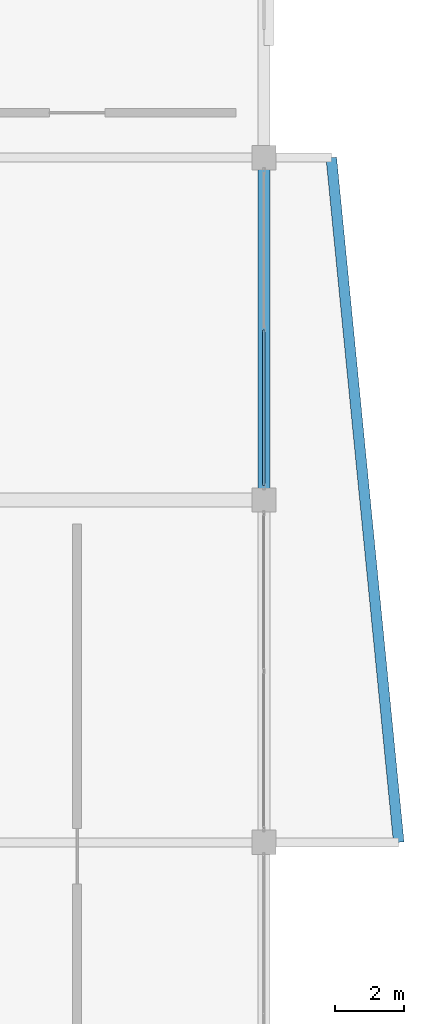
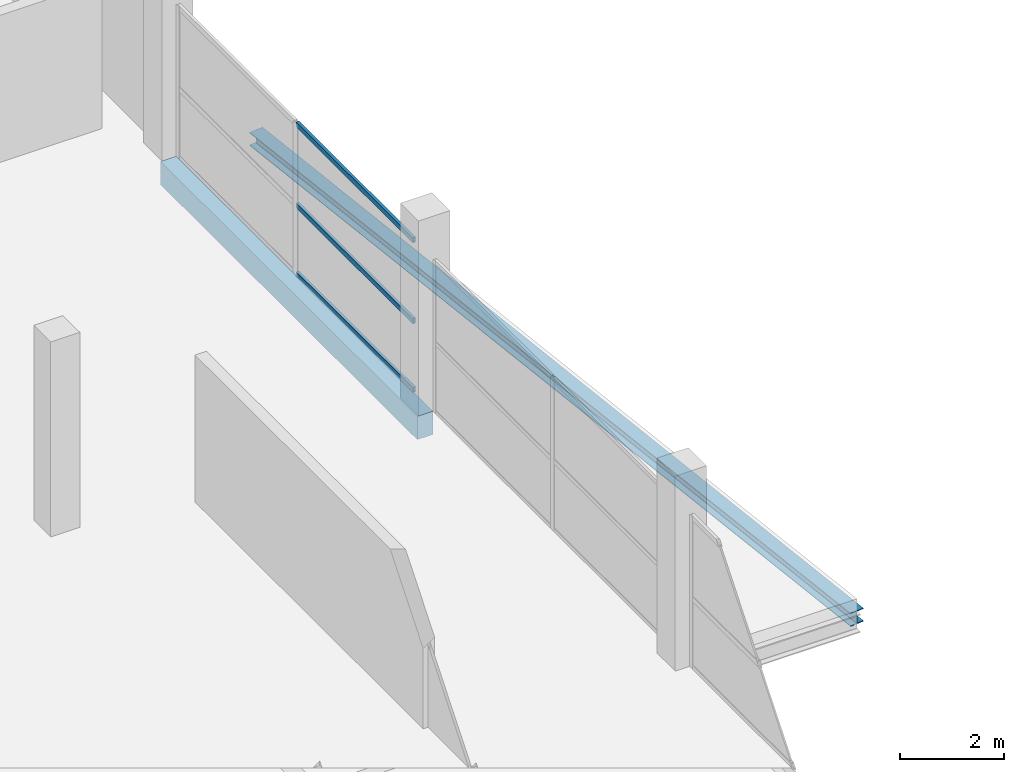
# One storey, part 41 of 69: 3 members, 2 beams, 1 element without a shape of its own.
"""IFC4 building model written with IfcOpenShell, lengths in metres."""

from ifc_helpers import new_model, si_unit, direction, frame, origin, origin_2d, place, context, subcontext, project, spatial, rectangle, hollow_rectangle, i_section, extrude, material, layer, layer_set, material_profile, profile_set, type_object, element, aggregate, save


model = new_model("IFC4")

# Units and contexts
model_context = context("Model", 3, precision=1e-05, world=origin(), true_north=direction((0.0, 1.0)))
body_context = subcontext(model_context, "Body", "Model", "MODEL_VIEW")
ifc_project = project(units=[si_unit("LENGTHUNIT", "METRE"), si_unit("AREAUNIT", "SQUARE_METRE"), si_unit("VOLUMEUNIT", "CUBIC_METRE"), si_unit("PLANEANGLEUNIT", "RADIAN"), si_unit("MASSUNIT", "GRAM", prefix="KILO")], contexts=[model_context])

# Site, building, storey
site_placement = place(None, origin())
site = spatial("IfcSite", under=ifc_project, at=site_placement, CompositionType="ELEMENT")
building_placement = place(site_placement, origin())
building = spatial("IfcBuilding", under=site, at=building_placement, Name="Sillaruma Civic Art Gallery", CompositionType="ELEMENT")
storey_placement = place(building_placement, frame((0.0, 0.0, 42.330078125)))
storey = spatial("IfcBuildingStorey", under=building, at=storey_placement, Name="L08", CompositionType="ELEMENT", Elevation=42.330078125)

# Beams
ifc_material_1 = material(Name="Structural Steel ASTM A992 Gr.50", Category="steel")
ifc_material_profile_1 = material_profile(ifc_material_1, i_section(OverallWidth=0.305908203125, OverallDepth=0.31103515625, WebThickness=0.010986328125, FlangeThickness=0.01708984375, FilletRadius=0.014892578125, at=origin_2d()), Name="W310x107")
ifc_profile_set_1 = profile_set([ifc_material_profile_1], Name="Structural Steel ASTM A992 Gr.50")
beam_type_1 = type_object("IfcBeamType", Name="BM-PROW-W310x107", PredefinedType="SPANDREL", material=ifc_profile_set_1)
beam_1_placement = place(storey_placement, frame((118.300048828125, 59.39990234375, -0.435546875), z_axis=(-0.098008009694, 0.995185625919, 0.0), x_axis=(-0.995185625919, -0.098008009694, 0.0)))
element("IfcBeam", 1, at=beam_1_placement, inside=storey, type_object=beam_type_1, Name="Angled Prow Edge Spandrel (PRW-L07-E-ROF)", PredefinedType="SPANDREL", context=body_context, shape_type="SweptSolid", body=[
    extrude(i_section(OverallWidth=0.305908203125, OverallDepth=0.31103515625, WebThickness=0.010986328125, FlangeThickness=0.01708984375, FilletRadius=0.014892578125, at=origin_2d()), origin(), (0.0, 0.0, 1.0), 19.895751953125),
])
ifc_material_2 = material(Name="Concrete H35 (35 MPa)", Category="concrete")
ifc_material_profile_2 = material_profile(ifc_material_2, rectangle(XDim=0.35009765625, YDim=0.550048828125, at=origin_2d()), Name="RCB350x550")
ifc_profile_set_2 = profile_set([ifc_material_profile_2], Name="Concrete H35 (35 MPa)")
beam_type_2 = type_object("IfcBeamType", Name="BM-SPANDREL-RCB350x550", PredefinedType="SPANDREL", material=ifc_profile_set_2)
beam_2_placement = place(storey_placement, frame((114.39990234375, 69.300048828125, -0.55517578125), z_axis=(0.0, 1.0, 0.0), x_axis=(-1.0, 0.0, 0.0)))
element("IfcBeam", 2, at=beam_2_placement, inside=storey, type_object=beam_type_2, Name="Beam BS-04 (L07:N:8-9)", PredefinedType="SPANDREL", context=body_context, shape_type="SweptSolid", body=[
    extrude(rectangle(XDim=0.35009765625, YDim=0.550048828125, at=origin_2d()), origin(), (0.0, 0.0, 1.0), 9.89990234375),
])

# Curtain wall, members
ifc_material_3 = material(Name="Thermally Broken Extruded Aluminium 6063-T6", Category="aluminium")
ifc_layer = layer(ifc_material_3, 0.179931640625, Name="Thermally Broken Extruded Aluminium 6063-T6")
ifc_layer_set = layer_set([ifc_layer], Name="Thermally Broken Extruded Aluminium 6063-T6")
curtain_wall_type = type_object("IfcCurtainWallType", Name="CW-UNI-34", PredefinedType="NOTDEFINED", material=ifc_layer_set)
curtain_wall_placement = place(storey_placement, origin())
curtain_wall = element("IfcCurtainWall", 3, at=curtain_wall_placement, inside=storey, type_object=curtain_wall_type, Name="Unitised Curtain Wall CW-34 (CW-L08-EBE-6)", PredefinedType="NOTDEFINED")
ifc_material_profile_3 = material_profile(ifc_material_3, hollow_rectangle(XDim=0.06494140625, YDim=0.1201171875, WallThickness=0.00341796875, at=origin_2d()), Name="CWT65x120")
ifc_profile_set_3 = profile_set([ifc_material_profile_3], Name="Thermally Broken Extruded Aluminium 6063-T6")
member_type = type_object("IfcMemberType", Name="MEM-TRN-CWT65x120", PredefinedType="USERDEFINED", material=ifc_profile_set_3)
member_1_placement = place(storey_placement, frame((114.39990234375, 69.719970703125, 0.032470703125), z_axis=(0.0, 1.0, 0.0), x_axis=(-1.0, 0.0, 0.0)))
member_1 = element("IfcMember", 4, at=member_1_placement, type_object=member_type, Name="CW-34 transom 1.1", ObjectType="TRANSOM", PredefinedType="USERDEFINED", context=body_context, shape_type="SweptSolid", body=[
    extrude(hollow_rectangle(XDim=0.06494140625, YDim=0.1201171875, WallThickness=0.00341796875, at=origin_2d()), origin(), (0.0, 0.0, 1.0), 4.4951171875),
])
member_2_placement = place(storey_placement, frame((114.39990234375, 69.719970703125, 1.6513671875), z_axis=(0.0, 1.0, 0.0), x_axis=(-1.0, 0.0, 0.0)))
member_2 = element("IfcMember", 5, at=member_2_placement, type_object=member_type, Name="CW-34 transom 1.2", ObjectType="TRANSOM", PredefinedType="USERDEFINED", context=body_context, shape_type="SweptSolid", body=[
    extrude(hollow_rectangle(XDim=0.06494140625, YDim=0.1201171875, WallThickness=0.00341796875, at=origin_2d()), origin(), (0.0, 0.0, 1.0), 4.4951171875),
])
member_3_placement = place(storey_placement, frame((114.39990234375, 69.719970703125, 3.557373046875), z_axis=(0.0, 1.0, 0.0), x_axis=(-1.0, 0.0, 0.0)))
member_3 = element("IfcMember", 6, at=member_3_placement, type_object=member_type, Name="CW-34 transom 1.3", ObjectType="TRANSOM", PredefinedType="USERDEFINED", context=body_context, shape_type="SweptSolid", body=[
    extrude(hollow_rectangle(XDim=0.06494140625, YDim=0.1201171875, WallThickness=0.00341796875, at=origin_2d()), origin(), (0.0, 0.0, 1.0), 4.4951171875),
])
aggregate(curtain_wall, [member_1, member_2, member_3])

save(model, "model.ifc")
